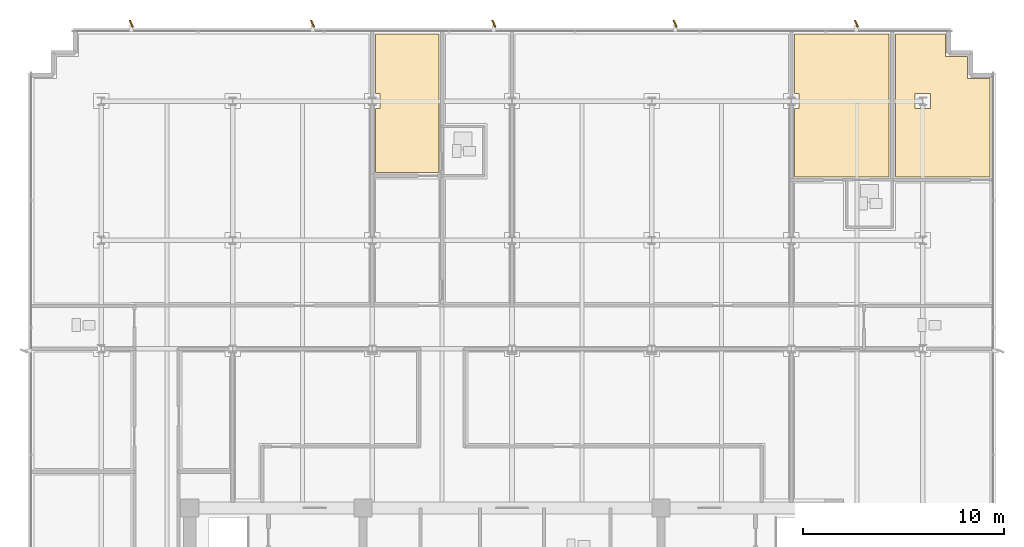
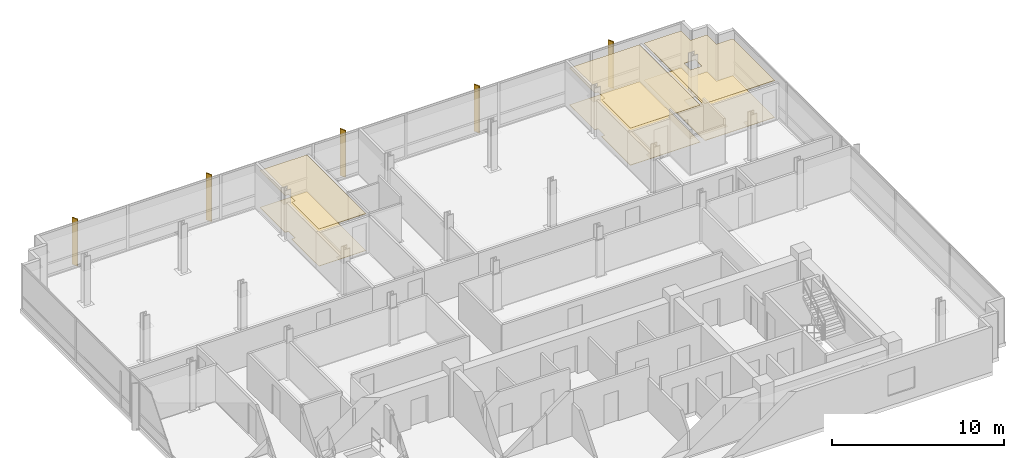
# One storey, part 17 of 18: 6 coverings, 5 shading devices.
"""IFC4 building model written with IfcOpenShell, lengths in metres."""

from ifc_helpers import new_model, si_unit, direction, frame, origin, origin_2d, place, context, subcontext, project, spatial, polyline, rectangle, outline, extrude, material, layer, layer_set, type_object, element, save


model = new_model("IFC4")

# Units and contexts
model_context = context("Model", 3, precision=1e-05, world=origin(), true_north=direction((0.0, 1.0)))
body_context = subcontext(model_context, "Body", "Model", "MODEL_VIEW")
ifc_project = project(units=[si_unit("LENGTHUNIT", "METRE"), si_unit("AREAUNIT", "SQUARE_METRE"), si_unit("VOLUMEUNIT", "CUBIC_METRE"), si_unit("PLANEANGLEUNIT", "RADIAN"), si_unit("MASSUNIT", "GRAM", prefix="KILO")], contexts=[model_context])

# Site, building, storey
site_placement = place(None, origin())
site = spatial("IfcSite", under=ifc_project, at=site_placement, CompositionType="ELEMENT")
building_placement = place(site_placement, origin())
building = spatial("IfcBuilding", under=site, at=building_placement, Name="Solmavex Isthmus Hotel", CompositionType="ELEMENT")
storey_placement = place(building_placement, frame((0.0, 0.0, 283.35009765625)))
storey = spatial("IfcBuildingStorey", under=building, at=storey_placement, Name="L77", CompositionType="ELEMENT", Elevation=283.35009765625)

# Coverings
ifc_material_1 = material(Name="Gypsum plasterboard lining", Category="gypsum")
ifc_layer_1 = layer(ifc_material_1, 0.030029296875)
ifc_layer_set_1 = layer_set([ifc_layer_1], Name="Gypsum plasterboard lining")
covering_type_1 = type_object("IfcCoveringType", Name="COV-CEIL-GYP", PredefinedType="CEILING", material=ifc_layer_set_1)
covering_1_placement = place(storey_placement, frame((0.0, 0.0, 2.619873046875)))
element("IfcCovering", 1, at=covering_1_placement, inside=storey, type_object=covering_type_1, Name="Suspended Acoustic Ceiling L77-SL02-BD", PredefinedType="CEILING", context=body_context, shape_type="SweptSolid", body=[
    extrude(outline(polyline([(-6.781005859375, 18.080078125), (-6.555908203125, 18.080078125), (-6.555908203125, 17.320068359375), (-6.781005859375, 17.320068359375), (-6.781005859375, 14.14306640625), (-3.623046875, 14.14306640625), (-3.623046875, 21.02490234375), (-6.781005859375, 21.02490234375), (-6.781005859375, 18.080078125)])), origin(), (0.0, 0.0, 1.0), 0.030029296875),
])
covering_2_placement = place(storey_placement, frame((0.0, 0.0, 2.619873046875)))
element("IfcCovering", 2, at=covering_2_placement, inside=storey, type_object=covering_type_1, Name="Suspended Acoustic Ceiling L77-HB04", PredefinedType="CEILING", context=body_context, shape_type="SweptSolid", body=[
    extrude(outline(polyline([(14.027099609375, 18.080078125), (14.251953125, 18.080078125), (14.251953125, 17.320068359375), (14.027099609375, 17.320068359375), (14.027099609375, 13.943115234375), (18.720947265625, 13.943115234375), (18.720947265625, 21.02490234375), (14.027099609375, 21.02490234375), (14.027099609375, 18.080078125)])), origin(), (0.0, 0.0, 1.0), 0.030029296875),
])
covering_3_placement = place(storey_placement, frame((0.0, 0.0, 2.619873046875)))
element("IfcCovering", 3, at=covering_3_placement, inside=storey, type_object=covering_type_1, Name="Suspended Acoustic Ceiling L77-HP04", PredefinedType="CEILING", context=body_context, shape_type="SweptSolid", body=[
    extrude(outline(polyline([(21.52490234375, 19.925048828125), (21.52490234375, 21.02490234375), (19.031005859375, 21.02490234375), (19.031005859375, 13.943115234375), (23.72509765625, 13.943115234375), (23.72509765625, 18.824951171875), (22.625, 18.824951171875), (22.625, 19.925048828125), (21.52490234375, 19.925048828125)]), holes=[polyline([(20.02001953125, 17.320068359375), (20.02001953125, 18.080078125), (20.780029296875, 18.080078125), (20.780029296875, 17.320068359375), (20.02001953125, 17.320068359375)])]), origin(), (0.0, 0.0, 1.0), 0.030029296875),
])
ifc_material_2 = material(Name="Travertine natural stone", Category="masonry")
ifc_layer_2 = layer(ifc_material_2, 0.02490234375)
ifc_layer_set_2 = layer_set([ifc_layer_2], Name="Travertine natural stone")
covering_type_2 = type_object("IfcCoveringType", Name="COV-FLOR-STN", PredefinedType="FLOORING", material=ifc_layer_set_2)
covering_4_placement = place(storey_placement, origin())
element("IfcCovering", 4, at=covering_4_placement, inside=storey, type_object=covering_type_2, Name="Stone and Timber Floor Finish L77-SL02-BD", PredefinedType="FLOORING", context=body_context, shape_type="SweptSolid", body=[
    extrude(outline(polyline([(-6.781005859375, 18.080078125), (-6.555908203125, 18.080078125), (-6.555908203125, 17.320068359375), (-6.781005859375, 17.320068359375), (-6.781005859375, 14.14306640625), (-3.623046875, 14.14306640625), (-3.623046875, 21.02490234375), (-6.781005859375, 21.02490234375), (-6.781005859375, 18.080078125)])), origin(), (0.0, 0.0, 1.0), 0.02490234375),
])
covering_5_placement = place(storey_placement, origin())
element("IfcCovering", 5, at=covering_5_placement, inside=storey, type_object=covering_type_2, Name="Stone and Timber Floor Finish L77-HB04", PredefinedType="FLOORING", context=body_context, shape_type="SweptSolid", body=[
    extrude(outline(polyline([(14.027099609375, 18.080078125), (14.251953125, 18.080078125), (14.251953125, 17.320068359375), (14.027099609375, 17.320068359375), (14.027099609375, 13.943115234375), (18.720947265625, 13.943115234375), (18.720947265625, 21.02490234375), (14.027099609375, 21.02490234375), (14.027099609375, 18.080078125)])), origin(), (0.0, 0.0, 1.0), 0.02490234375),
])
covering_6_placement = place(storey_placement, origin())
element("IfcCovering", 6, at=covering_6_placement, inside=storey, type_object=covering_type_2, Name="Stone and Timber Floor Finish L77-HP04", PredefinedType="FLOORING", context=body_context, shape_type="SweptSolid", body=[
    extrude(outline(polyline([(21.52490234375, 19.925048828125), (21.52490234375, 21.02490234375), (19.031005859375, 21.02490234375), (19.031005859375, 13.943115234375), (23.72509765625, 13.943115234375), (23.72509765625, 18.824951171875), (22.625, 18.824951171875), (22.625, 19.925048828125), (21.52490234375, 19.925048828125)]), holes=[polyline([(20.02001953125, 17.320068359375), (20.02001953125, 18.080078125), (20.780029296875, 18.080078125), (20.780029296875, 17.320068359375), (20.02001953125, 17.320068359375)])]), origin(), (0.0, 0.0, 1.0), 0.02490234375),
])

# Shading devices
ifc_material_3 = material(Name="Aluminium alloy 6063-T6", Category="aluminium")
shading_device_type = type_object("IfcShadingDeviceType", Name="SHD-FIN-CHAMP", PredefinedType="USERDEFINED", material=ifc_material_3)
for number, where, z_axis, x_axis, name in (
    (7, (-18.89990234375, 21.5400390625, -0.14013671875), (0.0, 0.0, 1.0), (-0.438371146789, 0.898794046299, 0.0), "Anodised Aluminium Solar Fin L77-N1"),
    (8, (-9.89990234375, 21.5400390625, -0.14013671875), (0.0, 0.0, 1.0), (-0.438371146789, 0.898794046299, 0.0), "Anodised Aluminium Solar Fin L77-N2"),
    (9, (-0.89990234375, 21.5400390625, -0.14013671875), (0.0, 0.0, 1.0), (-0.438371146789, 0.898794046299, 0.0), "Anodised Aluminium Solar Fin L77-N3"),
    (10, (8.10009765625, 21.5400390625, -0.14013671875), (0.0, 0.0, 1.0), (-0.438371146789, 0.898794046299, 0.0), "Anodised Aluminium Solar Fin L77-N4"),
    (11, (17.10009765625, 21.5400390625, -0.14013671875), (0.0, 0.0, 1.0), (-0.438371146789, 0.898794046299, 0.0), "Anodised Aluminium Solar Fin L77-N5"),
):
    element("IfcShadingDevice", number, at=place(storey_placement, frame(where, z_axis=z_axis, x_axis=x_axis)), inside=storey, type_object=shading_device_type, Name=name, ObjectType="SOLAR_FIN", PredefinedType="USERDEFINED", context=body_context, shape_type="SweptSolid", body=[
        extrude(rectangle(XDim=0.3798828125, YDim=0.070068359375, at=origin_2d()), origin(), (0.0, 0.0, 1.0), 3.330078125),
    ])

save(model, "model.ifc")
